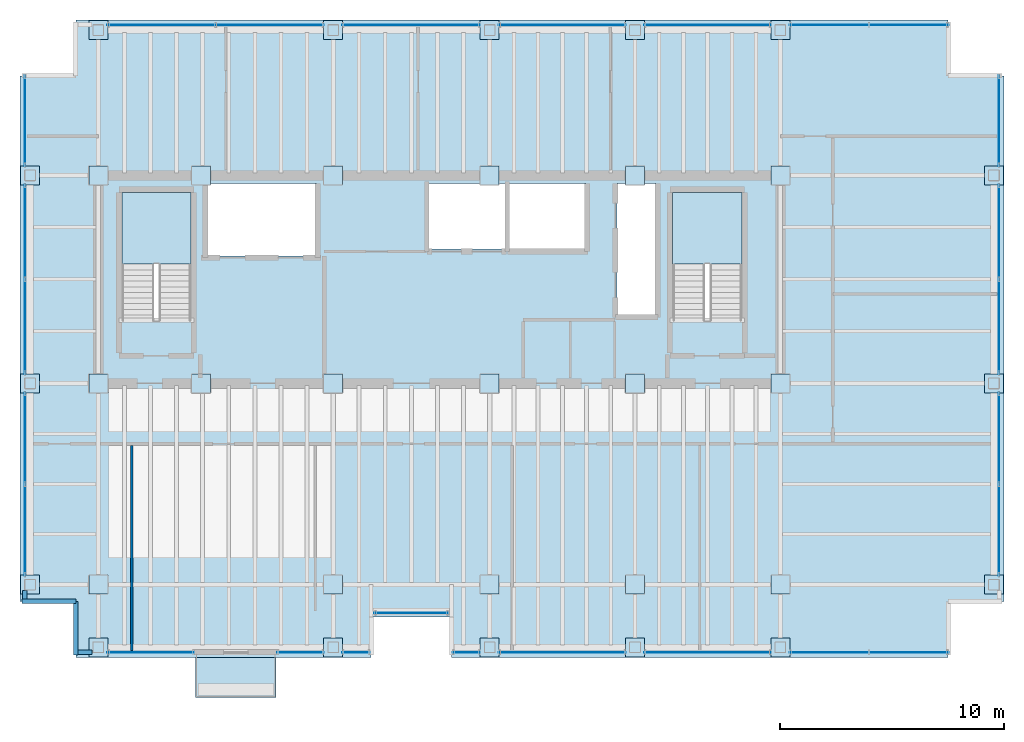
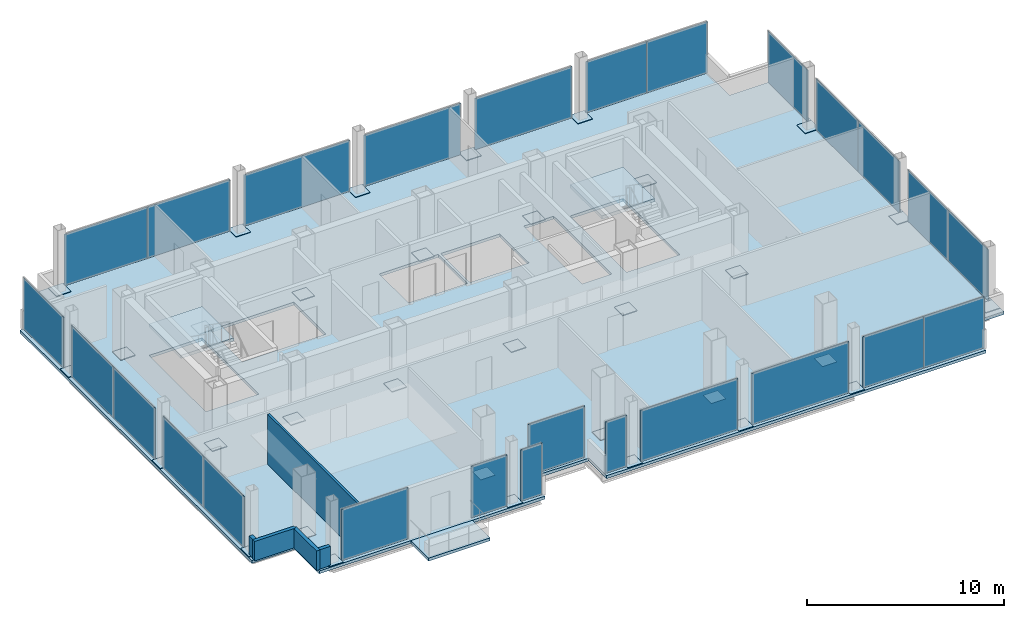
# One storey, part 12 of 15: 59 plates, 5 walls, 4 slabs, 6 openings, 21 elements without a shape of their own.
"""IFC4 building model written with IfcOpenShell, lengths in metres."""

from ifc_helpers import new_model, si_unit, direction, frame, frame_2d, origin, origin_2d, place, context, subcontext, project, spatial, polyline, rectangle, outline, extrude, material, layer, layer_set, type_object, element, aggregate, save


model = new_model("IFC4")

# Units and contexts
model_context = context("Model", 3, precision=1e-05, world=origin(), true_north=direction((0.0, 1.0)))
body_context = subcontext(model_context, "Body", "Model", "MODEL_VIEW")
ifc_project = project(units=[si_unit("LENGTHUNIT", "METRE"), si_unit("AREAUNIT", "SQUARE_METRE"), si_unit("VOLUMEUNIT", "CUBIC_METRE"), si_unit("PLANEANGLEUNIT", "RADIAN"), si_unit("MASSUNIT", "GRAM", prefix="KILO")], contexts=[model_context])

# Site, building, storey
site_placement = place(None, origin())
site = spatial("IfcSite", under=ifc_project, at=site_placement, CompositionType="ELEMENT")
building_placement = place(site_placement, origin())
building = spatial("IfcBuilding", under=site, at=building_placement, Name="Noeulbin Bourse Tower", CompositionType="ELEMENT")
storey_placement = place(building_placement, frame((0.0, 0.0, 189.0)))
storey = spatial("IfcBuildingStorey", under=building, at=storey_placement, Name="L47", CompositionType="ELEMENT", Elevation=189.0)

# Curtain wall, plate
ifc_material_1 = material(Name="Dark Tinted Triple Glazing", Category="glass")
curtain_wall_type = type_object("IfcCurtainWallType", Name="CW-SYS-3", PredefinedType="NOTDEFINED", material=ifc_material_1)
curtain_wall_1_placement = place(storey_placement, origin())
curtain_wall_1 = element("IfcCurtainWall", 1, at=curtain_wall_1_placement, inside=storey, type_object=curtain_wall_type, Name="Unitised Curtain Wall CW-L47-SREC", PredefinedType="NOTDEFINED")
ifc_layer_1 = layer(ifc_material_1, 0.035888671875)
ifc_layer_set_1 = layer_set([ifc_layer_1], Name="Dark Tinted Triple Glazing")
plate_type_1 = type_object("IfcPlateType", Name="CW-SYS-3-PNL", PredefinedType="CURTAIN_PANEL", material=ifc_layer_set_1)
plate_1_placement = place(storey_placement, frame((27.5, 18.72998046875, 0.0), z_axis=(0.0, 0.0, 1.0), x_axis=(1.0, 0.0, 0.0)))
plate_1 = element("IfcPlate", 2, at=plate_1_placement, type_object=plate_type_1, Name="Glazed Curtain Panel CW-L47-SREC-P00", PredefinedType="CURTAIN_PANEL", context=body_context, shape_type="SweptSolid", body=[
    extrude(rectangle(XDim=3.300048828125, YDim=0.035888671875, at=origin_2d()), origin(), (0.0, 0.0, 1.0), 3.179931640625),
])
aggregate(curtain_wall_1, [plate_1])

curtain_wall_2_placement = place(storey_placement, origin())
curtain_wall_2 = element("IfcCurtainWall", 3, at=curtain_wall_2_placement, inside=storey, type_object=curtain_wall_type, Name="Unitised Curtain Wall CW-L47-S1", PredefinedType="NOTDEFINED")
plate_2_placement = place(storey_placement, frame((15.85498046875, 16.969970703125, 0.0), z_axis=(0.0, 0.0, 1.0), x_axis=(1.0, 0.0, 0.0)))
plate_2 = element("IfcPlate", 4, at=plate_2_placement, type_object=plate_type_1, Name="Glazed Curtain Panel CW-L47-S1-P00", PredefinedType="CURTAIN_PANEL", context=body_context, shape_type="SweptSolid", body=[
    extrude(rectangle(XDim=3.889892578125, YDim=0.035888671875, at=origin_2d()), origin(), (0.0, 0.0, 1.0), 3.179931640625),
])
aggregate(curtain_wall_2, [plate_2])

curtain_wall_3_placement = place(storey_placement, origin())
curtain_wall_3 = element("IfcCurtainWall", 5, at=curtain_wall_3_placement, inside=storey, type_object=curtain_wall_type, Name="Unitised Curtain Wall CW-L47-S2-S1", PredefinedType="NOTDEFINED")
plate_3_placement = place(storey_placement, frame((22.544921875, 16.969970703125, 0.0), z_axis=(0.0, 0.0, 1.0), x_axis=(1.0, 0.0, 0.0)))
plate_3 = element("IfcPlate", 6, at=plate_3_placement, type_object=plate_type_1, Name="Glazed Curtain Panel CW-L47-S2-S1-P00", PredefinedType="CURTAIN_PANEL", context=body_context, shape_type="SweptSolid", body=[
    extrude(rectangle(XDim=2.090087890625, YDim=0.035888671875, at=origin_2d()), origin(), (0.0, 0.0, 1.0), 3.179931640625),
])
aggregate(curtain_wall_3, [plate_3])

curtain_wall_4_placement = place(storey_placement, origin())
curtain_wall_4 = element("IfcCurtainWall", 7, at=curtain_wall_4_placement, inside=storey, type_object=curtain_wall_type, Name="Unitised Curtain Wall CW-L47-S2-S2", PredefinedType="NOTDEFINED")
plate_4_placement = place(storey_placement, frame((25.030029296875, 16.969970703125, 0.0), z_axis=(0.0, 0.0, 1.0), x_axis=(1.0, 0.0, 0.0)))
plate_4 = element("IfcPlate", 8, at=plate_4_placement, type_object=plate_type_1, Name="Glazed Curtain Panel CW-L47-S2-S2-P00", PredefinedType="CURTAIN_PANEL", context=body_context, shape_type="SweptSolid", body=[
    extrude(rectangle(XDim=1.239990234375, YDim=0.035888671875, at=origin_2d()), origin(), (0.0, 0.0, 1.0), 3.179931640625),
])
aggregate(curtain_wall_4, [plate_4])

curtain_wall_5_placement = place(storey_placement, origin())
curtain_wall_5 = element("IfcCurtainWall", 9, at=curtain_wall_5_placement, inside=storey, type_object=curtain_wall_type, Name="Unitised Curtain Wall CW-L47-S3-S1", PredefinedType="NOTDEFINED")
plate_5_placement = place(storey_placement, frame((29.969970703125, 16.969970703125, 0.0), z_axis=(0.0, 0.0, 1.0), x_axis=(1.0, 0.0, 0.0)))
plate_5 = element("IfcPlate", 10, at=plate_5_placement, type_object=plate_type_1, Name="Glazed Curtain Panel CW-L47-S3-S1-P00", PredefinedType="CURTAIN_PANEL", context=body_context, shape_type="SweptSolid", body=[
    extrude(rectangle(XDim=1.239990234375, YDim=0.035888671875, at=origin_2d()), origin(), (0.0, 0.0, 1.0), 3.179931640625),
])
aggregate(curtain_wall_5, [plate_5])

curtain_wall_6_placement = place(storey_placement, origin())
curtain_wall_6 = element("IfcCurtainWall", 11, at=curtain_wall_6_placement, inside=storey, type_object=curtain_wall_type, Name="Unitised Curtain Wall CW-L47-S3-S2", PredefinedType="NOTDEFINED")
plate_6_placement = place(storey_placement, frame((34.25, 16.969970703125, 0.0), z_axis=(0.0, 0.0, 1.0), x_axis=(1.0, 0.0, 0.0)))
plate_6 = element("IfcPlate", 12, at=plate_6_placement, type_object=plate_type_1, Name="Glazed Curtain Panel CW-L47-S3-S2-P00", PredefinedType="CURTAIN_PANEL", context=body_context, shape_type="SweptSolid", body=[
    extrude(rectangle(XDim=5.679931640625, YDim=0.035888671875, at=origin_2d()), origin(), (0.0, 0.0, 1.0), 3.179931640625),
])
aggregate(curtain_wall_6, [plate_6])

curtain_wall_7_placement = place(storey_placement, origin())
curtain_wall_7 = element("IfcCurtainWall", 13, at=curtain_wall_7_placement, inside=storey, type_object=curtain_wall_type, Name="Unitised Curtain Wall CW-L47-S3-S3", PredefinedType="NOTDEFINED")
plate_7_placement = place(storey_placement, frame((40.75, 16.969970703125, 0.0), z_axis=(0.0, 0.0, 1.0), x_axis=(1.0, 0.0, 0.0)))
plate_7 = element("IfcPlate", 14, at=plate_7_placement, type_object=plate_type_1, Name="Glazed Curtain Panel CW-L47-S3-S3-P00", PredefinedType="CURTAIN_PANEL", context=body_context, shape_type="SweptSolid", body=[
    extrude(rectangle(XDim=5.679931640625, YDim=0.035888671875, at=origin_2d()), origin(), (0.0, 0.0, 1.0), 3.179931640625),
])
aggregate(curtain_wall_7, [plate_7])

# Curtain wall, plates
curtain_wall_8_placement = place(storey_placement, origin())
curtain_wall_8 = element("IfcCurtainWall", 15, at=curtain_wall_8_placement, inside=storey, type_object=curtain_wall_type, Name="Unitised Curtain Wall CW-L47-S3-S4", PredefinedType="NOTDEFINED")
plate_8_placement = place(storey_placement, frame((46.1875, 16.969970703125, 0.0), z_axis=(0.0, 0.0, 1.0), x_axis=(1.0, 0.0, 0.0)))
plate_8 = element("IfcPlate", 16, at=plate_8_placement, type_object=plate_type_1, Name="Glazed Curtain Panel CW-L47-S3-S4-P00", PredefinedType="CURTAIN_PANEL", context=body_context, shape_type="SweptSolid", body=[
    extrude(rectangle(XDim=3.554931640625, YDim=0.035888671875, at=origin_2d()), origin(), (0.0, 0.0, 1.0), 3.179931640625),
])
plate_9_placement = place(storey_placement, frame((49.742431640625, 16.969970703125, 0.0), z_axis=(0.0, 0.0, 1.0), x_axis=(1.0, 0.0, 0.0)))
plate_9 = element("IfcPlate", 17, at=plate_9_placement, type_object=plate_type_1, Name="Glazed Curtain Panel CW-L47-S3-S4-P01", PredefinedType="CURTAIN_PANEL", context=body_context, shape_type="SweptSolid", body=[
    extrude(rectangle(XDim=3.554931640625, YDim=0.035888671875, at=origin_2d()), origin(), (0.0, 0.0, 1.0), 3.179931640625),
])
aggregate(curtain_wall_8, [plate_8, plate_9])

curtain_wall_9_placement = place(storey_placement, origin())
curtain_wall_9 = element("IfcCurtainWall", 18, at=curtain_wall_9_placement, inside=storey, type_object=curtain_wall_type, Name="Unitised Curtain Wall CW-L47-N-S1", PredefinedType="NOTDEFINED")
plate_10_placement = place(storey_placement, frame((16.330078125, 45.030029296875, 0.0), z_axis=(0.0, 0.0, 1.0), x_axis=(1.0, 0.0, 0.0)))
plate_10 = element("IfcPlate", 19, at=plate_10_placement, type_object=plate_type_1, Name="Glazed Curtain Panel CW-L47-N-S1-P00", PredefinedType="CURTAIN_PANEL", context=body_context, shape_type="SweptSolid", body=[
    extrude(rectangle(XDim=4.840087890625, YDim=0.035888671875, at=origin_2d()), origin(), (0.0, 0.0, 1.0), 3.179931640625),
])
plate_11_placement = place(storey_placement, frame((21.169921875, 45.030029296875, 0.0), z_axis=(0.0, 0.0, 1.0), x_axis=(1.0, 0.0, 0.0)))
plate_11 = element("IfcPlate", 20, at=plate_11_placement, type_object=plate_type_1, Name="Glazed Curtain Panel CW-L47-N-S1-P01", PredefinedType="CURTAIN_PANEL", context=body_context, shape_type="SweptSolid", body=[
    extrude(rectangle(XDim=4.840087890625, YDim=0.035888671875, at=origin_2d()), origin(), (0.0, 0.0, 1.0), 3.179931640625),
])
aggregate(curtain_wall_9, [plate_10, plate_11])

# Curtain wall, plate
curtain_wall_10_placement = place(storey_placement, origin())
curtain_wall_10 = element("IfcCurtainWall", 21, at=curtain_wall_10_placement, inside=storey, type_object=curtain_wall_type, Name="Unitised Curtain Wall CW-L47-N-S2", PredefinedType="NOTDEFINED")
plate_12_placement = place(storey_placement, frame((27.5, 45.030029296875, 0.0), z_axis=(0.0, 0.0, 1.0), x_axis=(1.0, 0.0, 0.0)))
plate_12 = element("IfcPlate", 22, at=plate_12_placement, type_object=plate_type_1, Name="Glazed Curtain Panel CW-L47-N-S2-P00", PredefinedType="CURTAIN_PANEL", context=body_context, shape_type="SweptSolid", body=[
    extrude(rectangle(XDim=6.179931640625, YDim=0.035888671875, at=origin_2d()), origin(), (0.0, 0.0, 1.0), 3.179931640625),
])
aggregate(curtain_wall_10, [plate_12])

curtain_wall_11_placement = place(storey_placement, origin())
curtain_wall_11 = element("IfcCurtainWall", 23, at=curtain_wall_11_placement, inside=storey, type_object=curtain_wall_type, Name="Unitised Curtain Wall CW-L47-N-S3", PredefinedType="NOTDEFINED")
plate_13_placement = place(storey_placement, frame((34.25, 45.030029296875, 0.0), z_axis=(0.0, 0.0, 1.0), x_axis=(1.0, 0.0, 0.0)))
plate_13 = element("IfcPlate", 24, at=plate_13_placement, type_object=plate_type_1, Name="Glazed Curtain Panel CW-L47-N-S3-P00", PredefinedType="CURTAIN_PANEL", context=body_context, shape_type="SweptSolid", body=[
    extrude(rectangle(XDim=5.679931640625, YDim=0.035888671875, at=origin_2d()), origin(), (0.0, 0.0, 1.0), 3.179931640625),
])
aggregate(curtain_wall_11, [plate_13])

curtain_wall_12_placement = place(storey_placement, origin())
curtain_wall_12 = element("IfcCurtainWall", 25, at=curtain_wall_12_placement, inside=storey, type_object=curtain_wall_type, Name="Unitised Curtain Wall CW-L47-N-S4", PredefinedType="NOTDEFINED")
plate_14_placement = place(storey_placement, frame((40.75, 45.030029296875, 0.0), z_axis=(0.0, 0.0, 1.0), x_axis=(1.0, 0.0, 0.0)))
plate_14 = element("IfcPlate", 26, at=plate_14_placement, type_object=plate_type_1, Name="Glazed Curtain Panel CW-L47-N-S4-P00", PredefinedType="CURTAIN_PANEL", context=body_context, shape_type="SweptSolid", body=[
    extrude(rectangle(XDim=5.679931640625, YDim=0.035888671875, at=origin_2d()), origin(), (0.0, 0.0, 1.0), 3.179931640625),
])
aggregate(curtain_wall_12, [plate_14])

# Curtain wall, plates
curtain_wall_13_placement = place(storey_placement, origin())
curtain_wall_13 = element("IfcCurtainWall", 27, at=curtain_wall_13_placement, inside=storey, type_object=curtain_wall_type, Name="Unitised Curtain Wall CW-L47-N-S5", PredefinedType="NOTDEFINED")
plate_15_placement = place(storey_placement, frame((46.1875, 45.030029296875, 0.0), z_axis=(0.0, 0.0, 1.0), x_axis=(1.0, 0.0, 0.0)))
plate_15 = element("IfcPlate", 28, at=plate_15_placement, type_object=plate_type_1, Name="Glazed Curtain Panel CW-L47-N-S5-P00", PredefinedType="CURTAIN_PANEL", context=body_context, shape_type="SweptSolid", body=[
    extrude(rectangle(XDim=3.554931640625, YDim=0.035888671875, at=origin_2d()), origin(), (0.0, 0.0, 1.0), 3.179931640625),
])
plate_16_placement = place(storey_placement, frame((49.742431640625, 45.030029296875, 0.0), z_axis=(0.0, 0.0, 1.0), x_axis=(1.0, 0.0, 0.0)))
plate_16 = element("IfcPlate", 29, at=plate_16_placement, type_object=plate_type_1, Name="Glazed Curtain Panel CW-L47-N-S5-P01", PredefinedType="CURTAIN_PANEL", context=body_context, shape_type="SweptSolid", body=[
    extrude(rectangle(XDim=3.554931640625, YDim=0.035888671875, at=origin_2d()), origin(), (0.0, 0.0, 1.0), 3.179931640625),
])
aggregate(curtain_wall_13, [plate_15, plate_16])

curtain_wall_14_placement = place(storey_placement, origin())
curtain_wall_14 = element("IfcCurtainWall", 30, at=curtain_wall_14_placement, inside=storey, type_object=curtain_wall_type, Name="Unitised Curtain Wall CW-L47-W-S1", PredefinedType="NOTDEFINED")
plate_17_placement = place(storey_placement, frame((10.219970703125, 22.455078125, 0.0), z_axis=(0.0, 0.0, 1.0), x_axis=(0.0, 1.0, 0.0)))
plate_17 = element("IfcPlate", 31, at=plate_17_placement, type_object=plate_type_1, Name="Glazed Curtain Panel CW-L47-W-S1-P00", PredefinedType="CURTAIN_PANEL", context=body_context, shape_type="SweptSolid", body=[
    extrude(rectangle(XDim=4.090087890625, YDim=0.035888671875, at=origin_2d()), origin(), (0.0, 0.0, 1.0), 3.179931640625),
])
plate_18_placement = place(storey_placement, frame((10.219970703125, 26.544921875, 0.0), z_axis=(0.0, 0.0, 1.0), x_axis=(0.0, 1.0, 0.0)))
plate_18 = element("IfcPlate", 32, at=plate_18_placement, type_object=plate_type_1, Name="Glazed Curtain Panel CW-L47-W-S1-P01", PredefinedType="CURTAIN_PANEL", context=body_context, shape_type="SweptSolid", body=[
    extrude(rectangle(XDim=4.090087890625, YDim=0.035888671875, at=origin_2d()), origin(), (0.0, 0.0, 1.0), 3.179931640625),
])
aggregate(curtain_wall_14, [plate_17, plate_18])

curtain_wall_15_placement = place(storey_placement, origin())
curtain_wall_15 = element("IfcCurtainWall", 33, at=curtain_wall_15_placement, inside=storey, type_object=curtain_wall_type, Name="Unitised Curtain Wall CW-L47-W-S2", PredefinedType="NOTDEFINED")
plate_19_placement = place(storey_placement, frame((10.219970703125, 31.530029296875, 0.0), z_axis=(0.0, 0.0, 1.0), x_axis=(0.0, 1.0, 0.0)))
plate_19 = element("IfcPlate", 34, at=plate_19_placement, type_object=plate_type_1, Name="Glazed Curtain Panel CW-L47-W-S2-P00", PredefinedType="CURTAIN_PANEL", context=body_context, shape_type="SweptSolid", body=[
    extrude(rectangle(XDim=4.239990234375, YDim=0.035888671875, at=origin_2d()), origin(), (0.0, 0.0, 1.0), 3.179931640625),
])
plate_20_placement = place(storey_placement, frame((10.219970703125, 35.77001953125, 0.0), z_axis=(0.0, 0.0, 1.0), x_axis=(0.0, 1.0, 0.0)))
plate_20 = element("IfcPlate", 35, at=plate_20_placement, type_object=plate_type_1, Name="Glazed Curtain Panel CW-L47-W-S2-P01", PredefinedType="CURTAIN_PANEL", context=body_context, shape_type="SweptSolid", body=[
    extrude(rectangle(XDim=4.239990234375, YDim=0.035888671875, at=origin_2d()), origin(), (0.0, 0.0, 1.0), 3.179931640625),
])
aggregate(curtain_wall_15, [plate_19, plate_20])

# Curtain wall, plate
curtain_wall_16_placement = place(storey_placement, origin())
curtain_wall_16 = element("IfcCurtainWall", 36, at=curtain_wall_16_placement, inside=storey, type_object=curtain_wall_type, Name="Unitised Curtain Wall CW-L47-W-S3", PredefinedType="NOTDEFINED")
plate_21_placement = place(storey_placement, frame((10.219970703125, 40.739990234375, 0.0), z_axis=(0.0, 0.0, 1.0), x_axis=(0.0, 1.0, 0.0)))
plate_21 = element("IfcPlate", 37, at=plate_21_placement, type_object=plate_type_1, Name="Glazed Curtain Panel CW-L47-W-S3-P00", PredefinedType="CURTAIN_PANEL", context=body_context, shape_type="SweptSolid", body=[
    extrude(rectangle(XDim=4.06005859375, YDim=0.035888671875, at=origin_2d()), origin(), (0.0, 0.0, 1.0), 3.179931640625),
])
aggregate(curtain_wall_16, [plate_21])

# Curtain wall, plates
curtain_wall_17_placement = place(storey_placement, origin())
curtain_wall_17 = element("IfcCurtainWall", 38, at=curtain_wall_17_placement, inside=storey, type_object=curtain_wall_type, Name="Unitised Curtain Wall CW-L47-E-S1", PredefinedType="NOTDEFINED")
plate_22_placement = place(storey_placement, frame((53.780029296875, 22.455078125, 0.0), z_axis=(0.0, 0.0, 1.0), x_axis=(0.0, 1.0, 0.0)))
plate_22 = element("IfcPlate", 39, at=plate_22_placement, type_object=plate_type_1, Name="Glazed Curtain Panel CW-L47-E-S1-P00", PredefinedType="CURTAIN_PANEL", context=body_context, shape_type="SweptSolid", body=[
    extrude(rectangle(XDim=4.090087890625, YDim=0.035888671875, at=origin_2d()), origin(), (0.0, 0.0, 1.0), 3.179931640625),
])
plate_23_placement = place(storey_placement, frame((53.780029296875, 26.544921875, 0.0), z_axis=(0.0, 0.0, 1.0), x_axis=(0.0, 1.0, 0.0)))
plate_23 = element("IfcPlate", 40, at=plate_23_placement, type_object=plate_type_1, Name="Glazed Curtain Panel CW-L47-E-S1-P01", PredefinedType="CURTAIN_PANEL", context=body_context, shape_type="SweptSolid", body=[
    extrude(rectangle(XDim=4.090087890625, YDim=0.035888671875, at=origin_2d()), origin(), (0.0, 0.0, 1.0), 3.179931640625),
])
aggregate(curtain_wall_17, [plate_22, plate_23])

curtain_wall_18_placement = place(storey_placement, origin())
curtain_wall_18 = element("IfcCurtainWall", 41, at=curtain_wall_18_placement, inside=storey, type_object=curtain_wall_type, Name="Unitised Curtain Wall CW-L47-E-S2", PredefinedType="NOTDEFINED")
plate_24_placement = place(storey_placement, frame((53.780029296875, 31.530029296875, 0.0), z_axis=(0.0, 0.0, 1.0), x_axis=(0.0, 1.0, 0.0)))
plate_24 = element("IfcPlate", 42, at=plate_24_placement, type_object=plate_type_1, Name="Glazed Curtain Panel CW-L47-E-S2-P00", PredefinedType="CURTAIN_PANEL", context=body_context, shape_type="SweptSolid", body=[
    extrude(rectangle(XDim=4.239990234375, YDim=0.035888671875, at=origin_2d()), origin(), (0.0, 0.0, 1.0), 3.179931640625),
])
plate_25_placement = place(storey_placement, frame((53.780029296875, 35.77001953125, 0.0), z_axis=(0.0, 0.0, 1.0), x_axis=(0.0, 1.0, 0.0)))
plate_25 = element("IfcPlate", 43, at=plate_25_placement, type_object=plate_type_1, Name="Glazed Curtain Panel CW-L47-E-S2-P01", PredefinedType="CURTAIN_PANEL", context=body_context, shape_type="SweptSolid", body=[
    extrude(rectangle(XDim=4.239990234375, YDim=0.035888671875, at=origin_2d()), origin(), (0.0, 0.0, 1.0), 3.179931640625),
])
aggregate(curtain_wall_18, [plate_24, plate_25])

# Curtain wall, plate
curtain_wall_19_placement = place(storey_placement, origin())
curtain_wall_19 = element("IfcCurtainWall", 44, at=curtain_wall_19_placement, inside=storey, type_object=curtain_wall_type, Name="Unitised Curtain Wall CW-L47-E-S3", PredefinedType="NOTDEFINED")
plate_26_placement = place(storey_placement, frame((53.780029296875, 40.739990234375, 0.0), z_axis=(0.0, 0.0, 1.0), x_axis=(0.0, 1.0, 0.0)))
plate_26 = element("IfcPlate", 45, at=plate_26_placement, type_object=plate_type_1, Name="Glazed Curtain Panel CW-L47-E-S3-P00", PredefinedType="CURTAIN_PANEL", context=body_context, shape_type="SweptSolid", body=[
    extrude(rectangle(XDim=4.06005859375, YDim=0.035888671875, at=origin_2d()), origin(), (0.0, 0.0, 1.0), 3.179931640625),
])
aggregate(curtain_wall_19, [plate_26])

# Plates
ifc_material_2 = material(Name="Steel S355", Category="steel")
ifc_layer_2 = layer(ifc_material_2, 0.030029296875)
ifc_layer_set_2 = layer_set([ifc_layer_2], Name="Steel S355")
plate_type_2 = type_object("IfcPlateType", Name="PLT-BN1", PredefinedType="USERDEFINED", material=ifc_layer_set_2)
for number, where, z_axis, x_axis, name in (
    (46, (13.5, 29.0, 0.0048828125), (0.0, 0.0, 1.0), (1.0, 0.0, 0.0), "Mega-Column Splice Plate BN1-L47-01"),
    (47, (13.5, 38.300048828125, 0.0048828125), (0.0, 0.0, 1.0), (1.0, 0.0, 0.0), "Mega-Column Splice Plate BN1-L47-02"),
    (48, (18.10009765625, 29.0, 0.0048828125), (0.0, 0.0, 1.0), (1.0, 0.0, 0.0), "Mega-Column Splice Plate BN1-L47-03"),
    (49, (18.10009765625, 38.300048828125, 0.0048828125), (0.0, 0.0, 1.0), (1.0, 0.0, 0.0), "Mega-Column Splice Plate BN1-L47-04"),
    (50, (24.0, 29.0, 0.0048828125), (0.0, 0.0, 1.0), (1.0, 0.0, 0.0), "Mega-Column Splice Plate BN1-L47-05"),
    (51, (24.0, 38.300048828125, 0.0048828125), (0.0, 0.0, 1.0), (1.0, 0.0, 0.0), "Mega-Column Splice Plate BN1-L47-06"),
    (52, (31.0, 29.0, 0.0048828125), (0.0, 0.0, 1.0), (1.0, 0.0, 0.0), "Mega-Column Splice Plate BN1-L47-07"),
    (53, (31.0, 38.300048828125, 0.0048828125), (0.0, 0.0, 1.0), (1.0, 0.0, 0.0), "Mega-Column Splice Plate BN1-L47-08"),
    (54, (37.5, 29.0, 0.0048828125), (0.0, 0.0, 1.0), (1.0, 0.0, 0.0), "Mega-Column Splice Plate BN1-L47-09"),
    (55, (37.5, 38.300048828125, 0.0048828125), (0.0, 0.0, 1.0), (1.0, 0.0, 0.0), "Mega-Column Splice Plate BN1-L47-10"),
    (56, (44.0, 29.0, 0.0048828125), (0.0, 0.0, 1.0), (1.0, 0.0, 0.0), "Mega-Column Splice Plate BN1-L47-11"),
    (57, (44.0, 38.300048828125, 0.0048828125), (0.0, 0.0, 1.0), (1.0, 0.0, 0.0), "Mega-Column Splice Plate BN1-L47-12"),
    (58, (13.5, 20.0, 0.0048828125), (0.0, 0.0, 1.0), (1.0, 0.0, 0.0), "Mega-Column Splice Plate BN1-L47-13"),
    (59, (24.0, 20.0, 0.0048828125), (0.0, 0.0, 1.0), (1.0, 0.0, 0.0), "Mega-Column Splice Plate BN1-L47-14"),
    (60, (31.0, 20.0, 0.0048828125), (0.0, 0.0, 1.0), (1.0, 0.0, 0.0), "Mega-Column Splice Plate BN1-L47-15"),
    (61, (37.5, 20.0, 0.0048828125), (0.0, 0.0, 1.0), (1.0, 0.0, 0.0), "Mega-Column Splice Plate BN1-L47-16"),
    (62, (44.0, 20.0, 0.0048828125), (0.0, 0.0, 1.0), (1.0, 0.0, 0.0), "Mega-Column Splice Plate BN1-L47-17"),
    (63, (10.449951171875, 20.0, 0.0048828125), (0.0, 0.0, 1.0), (1.0, 0.0, 0.0), "Perimeter Column Splice Plate BN1-L47-01"),
    (64, (10.449951171875, 29.0, 0.0048828125), (0.0, 0.0, 1.0), (1.0, 0.0, 0.0), "Perimeter Column Splice Plate BN1-L47-02"),
    (65, (10.449951171875, 38.300048828125, 0.0048828125), (0.0, 0.0, 1.0), (1.0, 0.0, 0.0), "Perimeter Column Splice Plate BN1-L47-03"),
    (66, (13.5, 17.199951171875, 0.0048828125), (0.0, 0.0, 1.0), (1.0, 0.0, 0.0), "Perimeter Column Splice Plate BN1-L47-04"),
    (67, (13.5, 44.800048828125, 0.0048828125), (0.0, 0.0, 1.0), (1.0, 0.0, 0.0), "Perimeter Column Splice Plate BN1-L47-05"),
    (68, (24.0, 17.199951171875, 0.0048828125), (0.0, 0.0, 1.0), (1.0, 0.0, 0.0), "Perimeter Column Splice Plate BN1-L47-06"),
    (69, (24.0, 44.800048828125, 0.0048828125), (0.0, 0.0, 1.0), (1.0, 0.0, 0.0), "Perimeter Column Splice Plate BN1-L47-07"),
    (70, (31.0, 17.199951171875, 0.0048828125), (0.0, 0.0, 1.0), (1.0, 0.0, 0.0), "Perimeter Column Splice Plate BN1-L47-08"),
    (71, (31.0, 44.800048828125, 0.0048828125), (0.0, 0.0, 1.0), (1.0, 0.0, 0.0), "Perimeter Column Splice Plate BN1-L47-09"),
    (72, (37.5, 17.199951171875, 0.0048828125), (0.0, 0.0, 1.0), (1.0, 0.0, 0.0), "Perimeter Column Splice Plate BN1-L47-10"),
    (73, (37.5, 44.800048828125, 0.0048828125), (0.0, 0.0, 1.0), (1.0, 0.0, 0.0), "Perimeter Column Splice Plate BN1-L47-11"),
    (74, (44.0, 17.199951171875, 0.0048828125), (0.0, 0.0, 1.0), (1.0, 0.0, 0.0), "Perimeter Column Splice Plate BN1-L47-12"),
    (75, (44.0, 44.800048828125, 0.0048828125), (0.0, 0.0, 1.0), (1.0, 0.0, 0.0), "Perimeter Column Splice Plate BN1-L47-13"),
    (76, (53.550048828125, 20.0, 0.0048828125), (0.0, 0.0, 1.0), (1.0, 0.0, 0.0), "Perimeter Column Splice Plate BN1-L47-14"),
    (77, (53.550048828125, 29.0, 0.0048828125), (0.0, 0.0, 1.0), (1.0, 0.0, 0.0), "Perimeter Column Splice Plate BN1-L47-15"),
    (78, (53.550048828125, 38.300048828125, 0.0048828125), (0.0, 0.0, 1.0), (1.0, 0.0, 0.0), "Perimeter Column Splice Plate BN1-L47-16"),
):
    element("IfcPlate", number, at=place(storey_placement, frame(where, z_axis=z_axis, x_axis=x_axis)), inside=storey, type_object=plate_type_2, Name=name, ObjectType="SPLICE PLATE", PredefinedType="USERDEFINED", context=body_context, shape_type="SweptSolid", body=[
        extrude(rectangle(XDim=0.85009765625, YDim=0.85009765625, at=origin_2d()), origin(), (0.0, 0.0, 1.0), 0.030029296875),
    ])

# Stair, slab
ifc_material_3 = material(Name="Concrete C40/50", Category="concrete")
stair_type = type_object("IfcStairType", Name="STR-CORE-1560", PredefinedType="HALF_TURN_STAIR", material=ifc_material_3)
stair_1_placement = place(storey_placement, origin())
stair_1 = element("IfcStair", 79, at=stair_1_placement, inside=storey, type_object=stair_type, Name="L47 ST-1", PredefinedType="HALF_TURN_STAIR")
ifc_layer_3 = layer(ifc_material_3, 0.199951171875)
ifc_layer_set_3 = layer_set([ifc_layer_3], Name="Concrete C40/50")
slab_type_1 = type_object("IfcSlabType", Name="SLB-LND-200", PredefinedType="LANDING", material=ifc_layer_set_3)
slab_1_placement = place(storey_placement, frame((0.0, 0.0, 1.75)))
slab_1 = element("IfcSlab", 80, at=slab_1_placement, type_object=slab_type_1, Name="ST-1 landing 1", PredefinedType="LANDING", context=body_context, shape_type="SweptSolid", body=[
    extrude(outline(polyline([(17.64990234375, 34.330078125), (17.64990234375, 37.5439453125), (14.550048828125, 37.5439453125), (14.550048828125, 34.330078125), (17.64990234375, 34.330078125)])), origin(), (0.0, 0.0, 1.0), 0.199951171875),
])
aggregate(stair_1, [slab_1])

stair_2_placement = place(storey_placement, origin())
stair_2 = element("IfcStair", 81, at=stair_2_placement, inside=storey, type_object=stair_type, Name="L47 ST-2", PredefinedType="HALF_TURN_STAIR")
slab_2_placement = place(storey_placement, frame((0.0, 0.0, 1.75)))
slab_2 = element("IfcSlab", 82, at=slab_2_placement, type_object=slab_type_1, Name="ST-2 landing 1", PredefinedType="LANDING", context=body_context, shape_type="SweptSolid", body=[
    extrude(outline(polyline([(42.280029296875, 34.330078125), (42.280029296875, 37.5439453125), (39.179931640625, 37.5439453125), (39.179931640625, 34.330078125), (42.280029296875, 34.330078125)])), origin(), (0.0, 0.0, 1.0), 0.199951171875),
])
aggregate(stair_2, [slab_2])

# Slab, openings
ifc_layer_4 = layer(ifc_material_3, 0.179931640625)
ifc_layer_set_4 = layer_set([ifc_layer_4], Name="Concrete C40/50")
slab_type_2 = type_object("IfcSlabType", Name="SLB-TYP-180", PredefinedType="FLOOR", material=ifc_layer_set_4)
slab_3_placement = place(storey_placement, frame((0.0, 0.0, -0.179931640625)))
slab_3 = element("IfcSlab", 83, at=slab_3_placement, inside=storey, type_object=slab_type_2, Name="Tower Structural Floor Slab L47", PredefinedType="FLOOR", context=body_context, shape_type="SweptSolid", body=[
    extrude(outline(polyline([(12.5, 16.75), (25.699951171875, 16.75), (25.699951171875, 18.550048828125), (29.300048828125, 18.550048828125), (29.300048828125, 16.75), (51.5, 16.75), (51.5, 19.25), (54.0, 19.25), (54.0, 42.75), (51.5, 42.75), (51.5, 45.25), (12.5, 45.25), (12.5, 42.75), (10.0, 42.75), (10.0, 19.25), (12.5, 19.25), (12.5, 16.75)]), holes=[polyline([(17.64990234375, 31.81005859375), (17.64990234375, 37.5439453125), (14.550048828125, 37.5439453125), (14.550048828125, 31.81005859375), (17.64990234375, 31.81005859375)]), polyline([(42.280029296875, 31.81005859375), (42.280029296875, 37.5439453125), (39.179931640625, 37.5439453125), (39.179931640625, 31.81005859375), (42.280029296875, 31.81005859375)]), polyline([(18.35009765625, 34.699951171875), (23.25, 34.699951171875), (23.25, 37.949951171875), (18.35009765625, 37.949951171875), (18.35009765625, 34.699951171875)]), polyline([(36.699951171875, 32.050048828125), (38.449951171875, 32.050048828125), (38.449951171875, 37.949951171875), (36.699951171875, 37.949951171875), (36.699951171875, 32.050048828125)]), polyline([(28.25, 35.0), (31.699951171875, 35.0), (31.699951171875, 37.949951171875), (28.25, 37.949951171875), (28.25, 35.0)]), polyline([(31.85009765625, 35.0), (35.300048828125, 35.0), (35.300048828125, 37.949951171875), (31.85009765625, 37.949951171875), (31.85009765625, 35.0)])]), origin(), (0.0, 0.0, 1.0), 0.179931640625),
])
opening_1_placement = place(slab_3_placement, frame((0.0, 0.0, -0.010009765625)))
element("IfcOpeningElement", 84, at=opening_1_placement, cuts=slab_3, Name="Slab Shaft Opening SLB-L47-TWR-1", PredefinedType="OPENING", context=body_context, shape_type="SweptSolid", body=[
    extrude(outline(polyline([(17.64990234375, 31.81005859375), (17.64990234375, 37.5439453125), (14.550048828125, 37.5439453125), (14.550048828125, 31.81005859375), (17.64990234375, 31.81005859375)])), origin(), (0.0, 0.0, 1.0), 0.199951171875),
])
opening_2_placement = place(slab_3_placement, frame((0.0, 0.0, -0.010009765625)))
element("IfcOpeningElement", 85, at=opening_2_placement, cuts=slab_3, Name="Slab Shaft Opening SLB-L47-TWR-2", PredefinedType="OPENING", context=body_context, shape_type="SweptSolid", body=[
    extrude(outline(polyline([(42.280029296875, 31.81005859375), (42.280029296875, 37.5439453125), (39.179931640625, 37.5439453125), (39.179931640625, 31.81005859375), (42.280029296875, 31.81005859375)])), origin(), (0.0, 0.0, 1.0), 0.199951171875),
])
opening_3_placement = place(slab_3_placement, frame((0.0, 0.0, -0.010009765625)))
element("IfcOpeningElement", 86, at=opening_3_placement, cuts=slab_3, Name="Slab Shaft Opening SLB-L47-TWR-3", PredefinedType="OPENING", context=body_context, shape_type="SweptSolid", body=[
    extrude(outline(polyline([(18.35009765625, 34.699951171875), (23.25, 34.699951171875), (23.25, 37.949951171875), (18.35009765625, 37.949951171875), (18.35009765625, 34.699951171875)])), origin(), (0.0, 0.0, 1.0), 0.199951171875),
])
opening_4_placement = place(slab_3_placement, frame((0.0, 0.0, -0.010009765625)))
element("IfcOpeningElement", 87, at=opening_4_placement, cuts=slab_3, Name="Slab Shaft Opening SLB-L47-TWR-4", PredefinedType="OPENING", context=body_context, shape_type="SweptSolid", body=[
    extrude(outline(polyline([(36.699951171875, 32.050048828125), (38.449951171875, 32.050048828125), (38.449951171875, 37.949951171875), (36.699951171875, 37.949951171875), (36.699951171875, 32.050048828125)])), origin(), (0.0, 0.0, 1.0), 0.199951171875),
])
opening_5_placement = place(slab_3_placement, frame((0.0, 0.0, -0.010009765625)))
element("IfcOpeningElement", 88, at=opening_5_placement, cuts=slab_3, Name="Slab Shaft Opening SLB-L47-TWR-5", PredefinedType="OPENING", context=body_context, shape_type="SweptSolid", body=[
    extrude(outline(polyline([(28.25, 35.0), (31.699951171875, 35.0), (31.699951171875, 37.949951171875), (28.25, 37.949951171875), (28.25, 35.0)])), origin(), (0.0, 0.0, 1.0), 0.199951171875),
])
opening_6_placement = place(slab_3_placement, frame((0.0, 0.0, -0.010009765625)))
element("IfcOpeningElement", 89, at=opening_6_placement, cuts=slab_3, Name="Slab Shaft Opening SLB-L47-TWR-6", PredefinedType="OPENING", context=body_context, shape_type="SweptSolid", body=[
    extrude(outline(polyline([(31.85009765625, 35.0), (35.300048828125, 35.0), (35.300048828125, 37.949951171875), (31.85009765625, 37.949951171875), (31.85009765625, 35.0)])), origin(), (0.0, 0.0, 1.0), 0.199951171875),
])

# Slab
slab_4_placement = place(storey_placement, frame((0.0, 0.0, -0.179931640625)))
element("IfcSlab", 90, at=slab_4_placement, inside=storey, type_object=slab_type_2, Name="Cantilevered Tree-Balcony Slab L47", PredefinedType="FLOOR", context=body_context, shape_type="SweptSolid", body=[
    extrude(outline(polyline([(17.85009765625, 14.949951171875), (21.449951171875, 14.949951171875), (21.449951171875, 16.75), (17.85009765625, 16.75), (17.85009765625, 14.949951171875)])), origin(), (0.0, 0.0, 1.0), 0.179931640625),
])

# Walls
ifc_layer_5 = layer(ifc_material_3, 0.199951171875)
ifc_layer_set_5 = layer_set([ifc_layer_5], Name="Concrete C40/50")
wall_type_1 = type_object("IfcWallType", Name="WAL-PAR-200", PredefinedType="PARAPET", material=ifc_layer_set_5)
wall_1_placement = place(storey_placement, frame((10.219970703125, 19.35009765625, 0.0), z_axis=(0.0, 0.0, 1.0), x_axis=(0.0, 1.0, 0.0)))
element("IfcWall", 91, at=wall_1_placement, inside=storey, type_object=wall_type_1, Name="Perimeter Pier Spandrel Parapet L47-W2", PredefinedType="PARAPET", context=body_context, shape_type="SweptSolid", body=[
    extrude(rectangle(XDim=0.3798828125, YDim=0.199951171875, at=frame_2d((0.18994140625, 0.0))), origin(), (0.0, 0.0, 1.0), 1.199951171875),
])
wall_2_placement = place(storey_placement, frame((12.60009765625, 16.969970703125, 0.0), z_axis=(0.0, 0.0, 1.0), x_axis=(1.0, 0.0, 0.0)))
element("IfcWall", 92, at=wall_2_placement, inside=storey, type_object=wall_type_1, Name="Perimeter Pier Spandrel Parapet L47-S4", PredefinedType="PARAPET", context=body_context, shape_type="SweptSolid", body=[
    extrude(rectangle(XDim=0.6298828125, YDim=0.199951171875, at=frame_2d((0.31494140625, 0.0))), origin(), (0.0, 0.0, 1.0), 1.199951171875),
])
for number, where, z_axis, x_axis, name in (
    (93, (10.10009765625, 19.25, 0.0), (0.0, 0.0, 1.0), (1.0, 0.0, 0.0), "Corner Notch Parapet L47-SW1"),
    (94, (12.5, 19.25, 0.0), (0.0, 0.0, 1.0), (0.0, -1.0, 0.0), "Corner Notch Parapet L47-SW2"),
):
    element("IfcWall", number, at=place(storey_placement, frame(where, z_axis=z_axis, x_axis=x_axis)), inside=storey, type_object=wall_type_1, Name=name, PredefinedType="PARAPET", context=body_context, shape_type="SweptSolid", body=[
        extrude(rectangle(XDim=2.39990234375, YDim=0.199951171875, at=frame_2d((1.199951171875, 0.0))), origin(), (0.0, 0.0, 1.0), 1.199951171875),
    ])
ifc_material_4 = material(Name="Steel Stud Gypsum Partition", Category="steel")
ifc_layer_6 = layer(ifc_material_4, 0.1201171875)
ifc_layer_set_6 = layer_set([ifc_layer_6], Name="Steel Stud Gypsum Partition")
wall_type_2 = type_object("IfcWallType", Name="WAL-PRT-120", PredefinedType="PARTITIONING", material=ifc_layer_set_6)
wall_3_placement = place(storey_placement, frame((15.0, 17.06005859375, 0.0), z_axis=(0.0, 0.0, 1.0), x_axis=(0.0, 1.0, 0.0)))
element("IfcWall", 95, at=wall_3_placement, inside=storey, type_object=wall_type_2, Name="Interior Partition Wall L47-15", PredefinedType="PARTITIONING", context=body_context, shape_type="SweptSolid", body=[
    extrude(rectangle(XDim=9.155029296875, YDim=0.1201171875, at=frame_2d((4.57763671875, 0.0))), origin(), (0.0, 0.0, 1.0), 3.10009765625),
])

save(model, "model.ifc")
